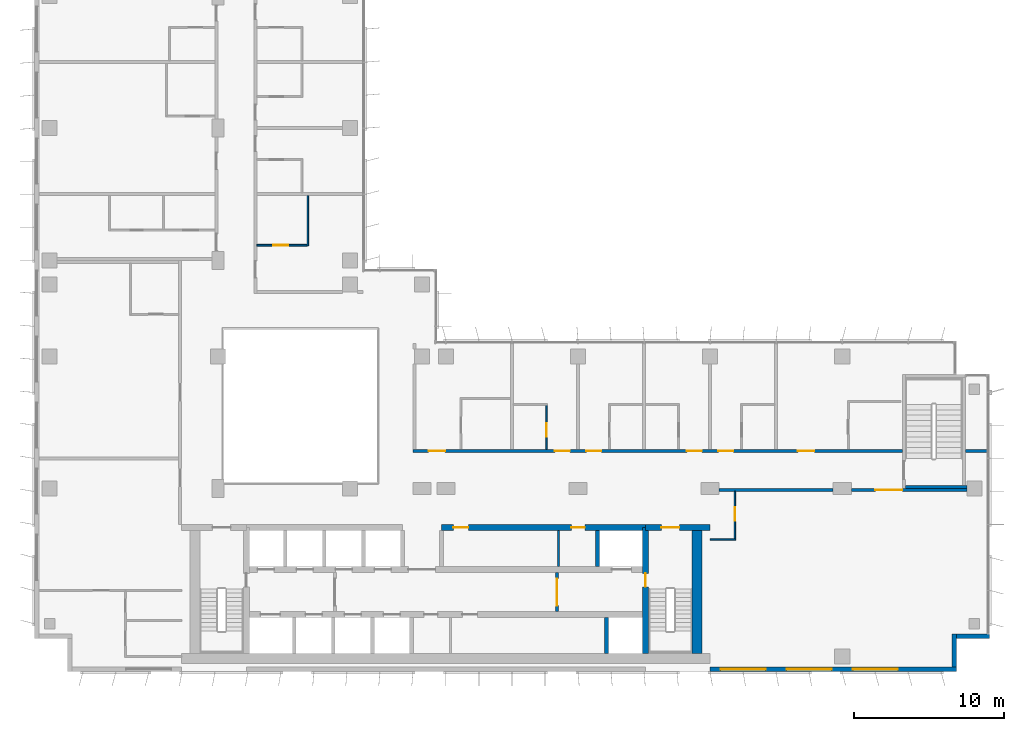
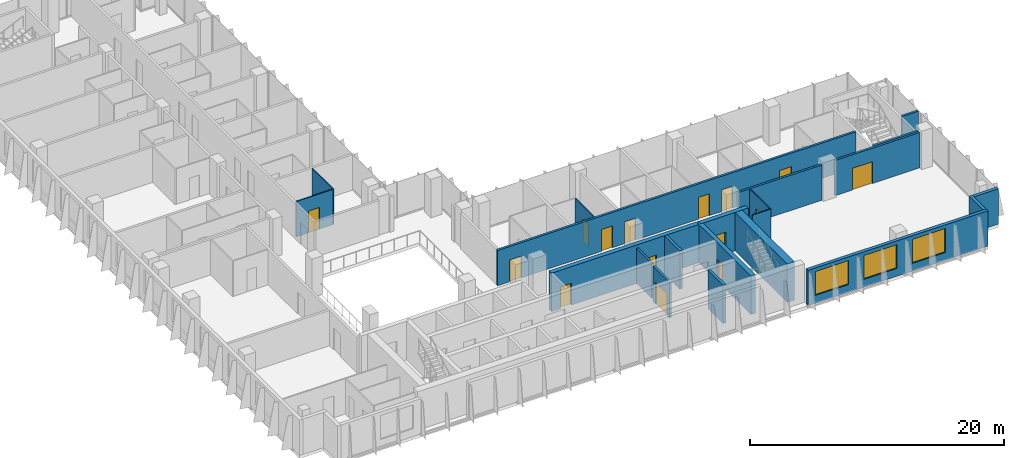
# One storey, part 14 of 21: 21 walls, 15 doors, 3 windows, 18 openings.
"""IFC4 building model written with IfcOpenShell, lengths in metres."""

from ifc_helpers import new_model, si_unit, direction, frame, frame_2d, origin, place, context, subcontext, project, spatial, rectangle, extrude, material, layer, layer_set, type_object, element, fill, save


model = new_model("IFC4")

# Units and contexts
model_context = context("Model", 3, precision=1e-05, world=origin(), true_north=direction((0.0, 1.0)))
body_context = subcontext(model_context, "Body", "Model", "MODEL_VIEW")
ifc_project = project(units=[si_unit("LENGTHUNIT", "METRE"), si_unit("AREAUNIT", "SQUARE_METRE"), si_unit("VOLUMEUNIT", "CUBIC_METRE"), si_unit("PLANEANGLEUNIT", "RADIAN"), si_unit("MASSUNIT", "GRAM", prefix="KILO")], contexts=[model_context])

# Site, building, storey
site_placement = place(None, origin())
site = spatial("IfcSite", under=ifc_project, at=site_placement, CompositionType="ELEMENT")
building_placement = place(site_placement, origin())
building = spatial("IfcBuilding", under=site, at=building_placement, Name="Kemantara Hotel Tower", CompositionType="ELEMENT")
storey_placement = place(building_placement, frame((0.0, 0.0, 182.699951171875)))
storey = spatial("IfcBuildingStorey", under=building, at=storey_placement, Name="L45", CompositionType="ELEMENT", Elevation=182.699951171875)

# Wall, openings, windows
ifc_material_1 = material(Name="Bronze anodised aluminium cladding on insulated steel stud wall", Category="steel")
ifc_layer_1 = layer(ifc_material_1, 0.300048828125)
ifc_layer_set_1 = layer_set([ifc_layer_1], Name="Bronze anodised aluminium cladding on insulated steel stud wall")
wall_type_1 = type_object("IfcWallType", Name="BRONZE METAL-CLAD EXTERNAL WALL 300", PredefinedType="STANDARD", material=ifc_layer_set_1)
wall_1_placement = place(storey_placement, frame((45.0, 0.14990234375, 0.0), z_axis=(0.0, 0.0, 1.0), x_axis=(1.0, 0.0, 0.0)))
wall_1 = element("IfcWall", 1, at=wall_1_placement, inside=storey, type_object=wall_type_1, Name="EXTERNAL WALL L45 T3-R08-3", PredefinedType="STANDARD", context=body_context, shape_type="SweptSolid", body=[
    extrude(rectangle(XDim=16.39990234375, YDim=0.300048828125, at=frame_2d((8.199951171875, 0.0))), origin(), (0.0, 0.0, 1.0), 3.400146484375),
])
opening_1_placement = place(wall_1_placement, frame((0.699951171875, 0.0, 0.75)))
opening_1 = element("IfcOpeningElement", 2, at=opening_1_placement, cuts=wall_1, Name="Opening W1", PredefinedType="OPENING", context=body_context, shape_type="SweptSolid", body=[
    extrude(rectangle(XDim=3.0, YDim=2.300048828125, at=frame_2d((1.5, 1.14990234375))), frame((0.0, 0.159912109375, 0.0), z_axis=(0.0, -1.0, 0.0), x_axis=(1.0, 0.0, 0.0)), (0.0, 0.0, 1.0), 0.320068359375),
])
opening_2_placement = place(wall_1_placement, frame((5.10009765625, 0.0, 0.75)))
opening_2 = element("IfcOpeningElement", 3, at=opening_2_placement, cuts=wall_1, Name="Opening W1", PredefinedType="OPENING", context=body_context, shape_type="SweptSolid", body=[
    extrude(rectangle(XDim=3.0, YDim=2.300048828125, at=frame_2d((1.5, 1.14990234375))), frame((0.0, 0.159912109375, 0.0), z_axis=(0.0, -1.0, 0.0), x_axis=(1.0, 0.0, 0.0)), (0.0, 0.0, 1.0), 0.320068359375),
])
opening_3_placement = place(wall_1_placement, frame((9.5, 0.0, 0.75)))
opening_3 = element("IfcOpeningElement", 4, at=opening_3_placement, cuts=wall_1, Name="Opening W1", PredefinedType="OPENING", context=body_context, shape_type="SweptSolid", body=[
    extrude(rectangle(XDim=3.0, YDim=2.300048828125, at=frame_2d((1.5, 1.14990234375))), frame((0.0, 0.159912109375, 0.0), z_axis=(0.0, -1.0, 0.0), x_axis=(1.0, 0.0, 0.0)), (0.0, 0.0, 1.0), 0.320068359375),
])
ifc_material_2 = material(Name="Low-E tinted double insulated glass in bronze anodised aluminium frame", Category="aluminium")
window_type = type_object("IfcWindowType", Name="CHICAGO WINDOW, TRIPLE PANEL 3000x2300", PartitioningType="TRIPLE_PANEL_VERTICAL", PredefinedType="WINDOW", material=ifc_material_2)
window_1_placement = place(opening_1_placement, origin())
window_1 = element("IfcWindow", 5, at=window_1_placement, inside=storey, type_object=window_type, Name="CHICAGO WINDOW L45 T3-R08-450", OverallHeight=2.300048828125, OverallWidth=3.0, PartitioningType="SINGLE_PANEL", PredefinedType="WINDOW", context=body_context, shape_type="SweptSolid", body=[
    extrude(rectangle(XDim=3.0, YDim=2.300048828125, at=frame_2d((1.5, 1.14990234375))), frame((0.0, 0.030029296875, 0.0), z_axis=(0.0, -1.0, 0.0), x_axis=(1.0, 0.0, 0.0)), (0.0, 0.0, 1.0), 0.06005859375),
])
fill(opening_1, window_1)
window_2_placement = place(opening_2_placement, origin())
window_2 = element("IfcWindow", 6, at=window_2_placement, inside=storey, type_object=window_type, Name="CHICAGO WINDOW L45 T3-R08-494", OverallHeight=2.300048828125, OverallWidth=3.0, PartitioningType="SINGLE_PANEL", PredefinedType="WINDOW", context=body_context, shape_type="SweptSolid", body=[
    extrude(rectangle(XDim=3.0, YDim=2.300048828125, at=frame_2d((1.5, 1.14990234375))), frame((0.0, 0.030029296875, 0.0), z_axis=(0.0, -1.0, 0.0), x_axis=(1.0, 0.0, 0.0)), (0.0, 0.0, 1.0), 0.06005859375),
])
fill(opening_2, window_2)
window_3_placement = place(opening_3_placement, origin())
window_3 = element("IfcWindow", 7, at=window_3_placement, inside=storey, type_object=window_type, Name="CHICAGO WINDOW L45 T3-R08-538", OverallHeight=2.300048828125, OverallWidth=3.0, PartitioningType="SINGLE_PANEL", PredefinedType="WINDOW", context=body_context, shape_type="SweptSolid", body=[
    extrude(rectangle(XDim=3.0, YDim=2.300048828125, at=frame_2d((1.5, 1.14990234375))), frame((0.0, 0.030029296875, 0.0), z_axis=(0.0, -1.0, 0.0), x_axis=(1.0, 0.0, 0.0)), (0.0, 0.0, 1.0), 0.06005859375),
])
fill(opening_3, window_3)

# Walls
wall_2_placement = place(storey_placement, frame((61.25, 0.300048828125, 0.0), z_axis=(0.0, 0.0, 1.0), x_axis=(0.0, 1.0, 0.0)))
element("IfcWall", 8, at=wall_2_placement, inside=storey, type_object=wall_type_1, Name="EXTERNAL WALL L45 T3-R09", PredefinedType="STANDARD", context=body_context, shape_type="SweptSolid", body=[
    extrude(rectangle(XDim=2.199951171875, YDim=0.300048828125, at=frame_2d((1.10009765625, 0.0))), origin(), (0.0, 0.0, 1.0), 3.400146484375),
])
wall_3_placement = place(storey_placement, frame((61.39990234375, 2.35009765625, 0.0), z_axis=(0.0, 0.0, 1.0), x_axis=(1.0, 0.0, 0.0)))
element("IfcWall", 9, at=wall_3_placement, inside=storey, type_object=wall_type_1, Name="EXTERNAL WALL L45 T3-R10", PredefinedType="STANDARD", context=body_context, shape_type="SweptSolid", body=[
    extrude(rectangle(XDim=2.2001953125, YDim=0.300048828125, at=frame_2d((1.10009765625, 0.0))), origin(), (0.0, 0.0, 1.0), 3.400146484375),
])
ifc_material_3 = material(Name="Concrete fc 60 MPa", Category="concrete")
ifc_layer_2 = layer(ifc_material_3, 0.25)
ifc_layer_set_2 = layer_set([ifc_layer_2], Name="Concrete fc 60 MPa")
wall_type_2 = type_object("IfcWallType", Name="CORE WALL 250 FC60", PredefinedType="SHEAR", material=ifc_layer_set_2)
wall_4_placement = place(storey_placement, frame((38.10009765625, 1.199951171875, 0.0), z_axis=(0.0, 0.0, 1.0), x_axis=(0.0, 1.0, 0.0)))
element("IfcWall", 10, at=wall_4_placement, inside=storey, type_object=wall_type_2, Name="CORE WALL CW-DS38.1", PredefinedType="SHEAR", context=body_context, shape_type="SweptSolid", body=[
    extrude(rectangle(XDim=2.400146484375, YDim=0.25, at=frame_2d((1.2001953125, 0.0))), origin(), (0.0, 0.0, 1.0), 3.699951171875),
])
wall_5_placement = place(storey_placement, frame((37.5, 7.0, 0.0), z_axis=(0.0, 0.0, 1.0), x_axis=(0.0, 1.0, 0.0)))
element("IfcWall", 11, at=wall_5_placement, inside=storey, type_object=wall_type_2, Name="CORE WALL CW-DN37.5", PredefinedType="SHEAR", context=body_context, shape_type="SweptSolid", body=[
    extrude(rectangle(XDim=2.39990234375, YDim=0.25, at=frame_2d((1.199951171875, 0.0))), origin(), (0.0, 0.0, 1.0), 3.699951171875),
])

# Wall, opening, door
ifc_layer_3 = layer(ifc_material_3, 0.39990234375)
ifc_layer_set_3 = layer_set([ifc_layer_3], Name="Concrete fc 60 MPa")
wall_type_3 = type_object("IfcWallType", Name="CORE WALL 400 FC60", PredefinedType="SHEAR", material=ifc_layer_set_3)
wall_6_placement = place(storey_placement, frame((40.699951171875, 9.60009765625, 0.0), z_axis=(0.0, 0.0, 1.0), x_axis=(1.0, 0.0, 0.0)))
wall_6 = element("IfcWall", 12, at=wall_6_placement, inside=storey, type_object=wall_type_3, Name="CORE WALL CW-N2", PredefinedType="SHEAR", context=body_context, shape_type="SweptSolid", body=[
    extrude(rectangle(XDim=4.300048828125, YDim=0.39990234375, at=frame_2d((2.14990234375, 0.0))), origin(), (0.0, 0.0, 1.0), 3.699951171875),
])
opening_4_placement = place(wall_6_placement, frame((1.050048828125, 0.0, 0.0)))
opening_4 = element("IfcOpeningElement", 13, at=opening_4_placement, cuts=wall_6, Name="Opening C27-ST2-C", PredefinedType="OPENING", context=body_context, shape_type="SweptSolid", body=[
    extrude(rectangle(XDim=1.199951171875, YDim=2.10009765625, at=frame_2d((0.60009765625, 1.050048828125))), frame((0.0, 0.2099609375, 0.0), z_axis=(0.0, -1.0, 0.0), x_axis=(1.0, 0.0, 0.0)), (0.0, 0.0, 1.0), 0.419921875),
])
ifc_material_4 = material(Name="Steel fire door", Category="steel")
door_type_1 = type_object("IfcDoorType", Name="Fire door FD90 1200 x 2100", OperationType="NOTDEFINED", PredefinedType="DOOR", material=ifc_material_4)
door_1_placement = place(opening_4_placement, frame((1.199951171875, 0.0, 0.0), z_axis=(0.0, 0.0, 1.0), x_axis=(-1.0, 0.0, 0.0)))
door_1 = element("IfcDoor", 14, at=door_1_placement, inside=storey, type_object=door_type_1, Name="Stair ST2 door to corridor", OperationType="SINGLE_SWING_RIGHT", OverallHeight=2.10009765625, OverallWidth=1.199951171875, PredefinedType="DOOR", context=body_context, shape_type="SweptSolid", body=[
    extrude(rectangle(XDim=1.199951171875, YDim=2.10009765625, at=frame_2d((0.60009765625, 1.050048828125))), frame((0.0, 0.02490234375, 0.0), z_axis=(0.0, -1.0, 0.0), x_axis=(1.0, 0.0, 0.0)), (0.0, 0.0, 1.0), 0.050048828125),
])
fill(opening_4, door_1)

# Wall, openings, doors
wall_7_placement = place(storey_placement, frame((27.10009765625, 9.60009765625, 0.0), z_axis=(0.0, 0.0, 1.0), x_axis=(1.0, 0.0, 0.0)))
wall_7 = element("IfcWall", 15, at=wall_7_placement, inside=storey, type_object=wall_type_3, Name="CORE WALL CW-NN2", PredefinedType="SHEAR", context=body_context, shape_type="SweptSolid", body=[
    extrude(rectangle(XDim=13.599853515625, YDim=0.39990234375, at=frame_2d((6.7998046875, 0.0))), origin(), (0.0, 0.0, 1.0), 3.699951171875),
])
opening_5_placement = place(wall_7_placement, frame((0.800048828125, 0.0, 0.0)))
opening_5 = element("IfcOpeningElement", 16, at=opening_5_placement, cuts=wall_7, Name="Opening C27-R-NE1", PredefinedType="OPENING", context=body_context, shape_type="SweptSolid", body=[
    extrude(rectangle(XDim=1.0, YDim=2.10009765625, at=frame_2d((0.5, 1.050048828125))), frame((0.0, 0.2099609375, 0.0), z_axis=(0.0, -1.0, 0.0), x_axis=(1.0, 0.0, 0.0)), (0.0, 0.0, 1.0), 0.419921875),
])
opening_6_placement = place(wall_7_placement, frame((8.64990234375, 0.0, 0.0)))
opening_6 = element("IfcOpeningElement", 17, at=opening_6_placement, cuts=wall_7, Name="Opening C27-R-NE2", PredefinedType="OPENING", context=body_context, shape_type="SweptSolid", body=[
    extrude(rectangle(XDim=0.89990234375, YDim=2.10009765625, at=frame_2d((0.449951171875, 1.050048828125))), frame((0.0, 0.2099609375, 0.0), z_axis=(0.0, -1.0, 0.0), x_axis=(1.0, 0.0, 0.0)), (0.0, 0.0, 1.0), 0.419921875),
])
door_type_2 = type_object("IfcDoorType", Name="Fire door FD30S 1000 x 2100", OperationType="NOTDEFINED", PredefinedType="DOOR", material=ifc_material_4)
door_2_placement = place(opening_5_placement, frame((1.0, 0.0, 0.0), z_axis=(0.0, 0.0, 1.0), x_axis=(-1.0, 0.0, 0.0)))
door_2 = element("IfcDoor", 18, at=door_2_placement, inside=storey, type_object=door_type_2, Name="Housekeeping Store door", OperationType="SINGLE_SWING_RIGHT", OverallHeight=2.10009765625, OverallWidth=1.0, PredefinedType="DOOR", context=body_context, shape_type="SweptSolid", body=[
    extrude(rectangle(XDim=1.0, YDim=2.10009765625, at=frame_2d((0.5, 1.050048828125))), frame((0.0, 0.02490234375, 0.0), z_axis=(0.0, -1.0, 0.0), x_axis=(1.0, 0.0, 0.0)), (0.0, 0.0, 1.0), 0.050048828125),
])
fill(opening_5, door_2)
door_type_3 = type_object("IfcDoorType", Name="Fire door FD60 900 x 2100", OperationType="NOTDEFINED", PredefinedType="DOOR", material=ifc_material_4)
door_3_placement = place(opening_6_placement, frame((0.89990234375, 0.0, 0.0), z_axis=(0.0, 0.0, 1.0), x_axis=(-1.0, 0.0, 0.0)))
door_3 = element("IfcDoor", 19, at=door_3_placement, inside=storey, type_object=door_type_3, Name="It Equipment Room door", OperationType="SINGLE_SWING_LEFT", OverallHeight=2.10009765625, OverallWidth=0.89990234375, PredefinedType="DOOR", context=body_context, shape_type="SweptSolid", body=[
    extrude(rectangle(XDim=0.89990234375, YDim=2.10009765625, at=frame_2d((0.449951171875, 1.050048828125))), frame((0.0, 0.02490234375, 0.0), z_axis=(0.0, -1.0, 0.0), x_axis=(1.0, 0.0, 0.0)), (0.0, 0.0, 1.0), 0.050048828125),
])
fill(opening_6, door_3)

# Wall, opening, door
wall_8_placement = place(storey_placement, frame((40.699951171875, 1.199951171875, 0.0), z_axis=(0.0, 0.0, 1.0), x_axis=(0.0, 1.0, 0.0)))
wall_8 = element("IfcWall", 20, at=wall_8_placement, inside=storey, type_object=wall_type_3, Name="CORE WALL CW-ST2W", PredefinedType="SHEAR", context=body_context, shape_type="SweptSolid", body=[
    extrude(rectangle(XDim=8.400146484375, YDim=0.39990234375, at=frame_2d((4.2001953125, 0.0))), origin(), (0.0, 0.0, 1.0), 3.699951171875),
])
opening_7_placement = place(wall_8_placement, frame((4.449951171875, 0.0, 0.0)))
opening_7 = element("IfcOpeningElement", 21, at=opening_7_placement, cuts=wall_8, Name="Opening C27-ST2-F", PredefinedType="OPENING", context=body_context, shape_type="SweptSolid", body=[
    extrude(rectangle(XDim=0.89990234375, YDim=2.10009765625, at=frame_2d((0.449951171875, 1.050048828125))), frame((0.0, 0.2099609375, 0.0), z_axis=(0.0, -1.0, 0.0), x_axis=(1.0, 0.0, 0.0)), (0.0, 0.0, 1.0), 0.419921875),
])
door_type_4 = type_object("IfcDoorType", Name="Fire door FD90 900 x 2100", OperationType="NOTDEFINED", PredefinedType="DOOR", material=ifc_material_4)
door_4_placement = place(opening_7_placement, frame((0.89990234375, 0.0, 0.0), z_axis=(0.0, 0.0, 1.0), x_axis=(-1.0, 0.0, 0.0)))
door_4 = element("IfcDoor", 22, at=door_4_placement, inside=storey, type_object=door_type_4, Name="Stair ST2 door to firefighting lobby", OperationType="SINGLE_SWING_LEFT", OverallHeight=2.10009765625, OverallWidth=0.89990234375, PredefinedType="DOOR", context=body_context, shape_type="SweptSolid", body=[
    extrude(rectangle(XDim=0.89990234375, YDim=2.10009765625, at=frame_2d((0.449951171875, 1.050048828125))), frame((0.0, 0.02490234375, 0.0), z_axis=(0.0, -1.0, 0.0), x_axis=(1.0, 0.0, 0.0)), (0.0, 0.0, 1.0), 0.050048828125),
])
fill(opening_7, door_4)

# Walls
ifc_layer_4 = layer(ifc_material_3, 0.64990234375)
ifc_layer_set_4 = layer_set([ifc_layer_4], Name="Concrete fc 60 MPa")
wall_type_4 = type_object("IfcWallType", Name="CORE WALL 650 FC60", PredefinedType="SHEAR", material=ifc_layer_set_4)
wall_9_placement = place(storey_placement, frame((44.125, 1.199951171875, 0.0), z_axis=(0.0, 0.0, 1.0), x_axis=(0.0, 1.0, 0.0)))
element("IfcWall", 23, at=wall_9_placement, inside=storey, type_object=wall_type_4, Name="CORE WALL CW-E", PredefinedType="SHEAR", context=body_context, shape_type="SweptSolid", body=[
    extrude(rectangle(XDim=8.60009765625, YDim=0.64990234375, at=frame_2d((4.300048828125, 0.0))), origin(), (0.0, 0.0, 1.0), 3.699951171875),
])
ifc_material_5 = material(Name="Gypsum board partition, steel studs and mineral wool, 200 mm", Category="steel")
ifc_layer_5 = layer(ifc_material_5, 0.199951171875)
ifc_layer_set_5 = layer_set([ifc_layer_5], Name="Gypsum board partition, steel studs and mineral wool, 200 mm")
wall_type_5 = type_object("IfcWallType", Name="CORRIDOR WALL 200", PredefinedType="PARTITIONING", material=ifc_layer_set_5)
wall_10_placement = place(storey_placement, frame((45.60009765625, 12.10009765625, 0.0), z_axis=(0.0, 0.0, 1.0), x_axis=(1.0, 0.0, 0.0)))
element("IfcWall", 24, at=wall_10_placement, inside=storey, type_object=wall_type_5, Name="CORRIDOR WALL 200 001", PredefinedType="PARTITIONING", context=body_context, shape_type="SweptSolid", body=[
    extrude(rectangle(XDim=7.599853515625, YDim=0.199951171875, at=frame_2d((3.7998046875, 0.0))), origin(), (0.0, 0.0, 1.0), 3.400146484375),
])

# Wall, opening, door
wall_11_placement = place(storey_placement, frame((62.099853515625, 12.10009765625, 0.0), z_axis=(0.0, 0.0, 1.0), x_axis=(-1.0, 0.0, 0.0)))
wall_11 = element("IfcWall", 25, at=wall_11_placement, inside=storey, type_object=wall_type_5, Name="CORRIDOR WALL 200 002", PredefinedType="PARTITIONING", context=body_context, shape_type="SweptSolid", body=[
    extrude(rectangle(XDim=7.69970703125, YDim=0.199951171875, at=frame_2d((3.849853515625, 0.0))), origin(), (0.0, 0.0, 1.0), 3.400146484375),
])
opening_8_placement = place(wall_11_placement, frame((4.2998046875, 0.0, 0.0)))
opening_8 = element("IfcOpeningElement", 26, at=opening_8_placement, cuts=wall_11, Name="Opening F21-001", PredefinedType="OPENING", context=body_context, shape_type="SweptSolid", body=[
    extrude(rectangle(XDim=1.800048828125, YDim=2.10009765625, at=frame_2d((0.89990234375, 1.050048828125))), frame((0.0, 0.10986328125, 0.0), z_axis=(0.0, -1.0, 0.0), x_axis=(1.0, 0.0, 0.0)), (0.0, 0.0, 1.0), 0.219970703125),
])
ifc_material_6 = material(Name="Hardwood veneer door leaf with steel frame", Category="steel")
door_type_5 = type_object("IfcDoorType", Name="AMENITY ROOM DOOR 1800 X 2100 FD30S", OperationType="NOTDEFINED", PredefinedType="DOOR", material=ifc_material_6)
door_5_placement = place(opening_8_placement, origin())
door_5 = element("IfcDoor", 27, at=door_5_placement, inside=storey, type_object=door_type_5, Name="AMENITY ROOM DOOR F21-001", OperationType="DOUBLE_DOOR_SINGLE_SWING", OverallHeight=2.10009765625, OverallWidth=1.800048828125, PredefinedType="DOOR", context=body_context, shape_type="SweptSolid", body=[
    extrude(rectangle(XDim=1.800048828125, YDim=2.10009765625, at=frame_2d((0.89990234375, 1.050048828125))), frame((0.0, 0.02490234375, 0.0), z_axis=(0.0, -1.0, 0.0), x_axis=(1.0, 0.0, 0.0)), (0.0, 0.0, 1.0), 0.050048828125),
])
fill(opening_8, door_5)

# Wall, openings, doors
wall_12_placement = place(storey_placement, frame((25.199951171875, 14.699951171875, 0.0), z_axis=(0.0, 0.0, 1.0), x_axis=(1.0, 0.0, 0.0)))
wall_12 = element("IfcWall", 28, at=wall_12_placement, inside=storey, type_object=wall_type_5, Name="CORRIDOR WALL 200 003", PredefinedType="PARTITIONING", context=body_context, shape_type="SweptSolid", body=[
    extrude(rectangle(XDim=32.60009765625, YDim=0.199951171875, at=frame_2d((16.300048828125, 0.0))), origin(), (0.0, 0.0, 1.0), 3.400146484375),
])
opening_9_placement = place(wall_12_placement, frame((1.050048828125, 0.0, 0.0)))
opening_9 = element("IfcOpeningElement", 29, at=opening_9_placement, cuts=wall_12, Name="Opening F21-003", PredefinedType="OPENING", context=body_context, shape_type="SweptSolid", body=[
    extrude(rectangle(XDim=1.10009765625, YDim=2.10009765625, at=frame_2d((0.550048828125, 1.050048828125))), frame((0.0, 0.10986328125, 0.0), z_axis=(0.0, -1.0, 0.0), x_axis=(1.0, 0.0, 0.0)), (0.0, 0.0, 1.0), 0.219970703125),
])
opening_10_placement = place(wall_12_placement, frame((9.449951171875, 0.0, 0.0)))
opening_10 = element("IfcOpeningElement", 30, at=opening_10_placement, cuts=wall_12, Name="Opening F21-005", PredefinedType="OPENING", context=body_context, shape_type="SweptSolid", body=[
    extrude(rectangle(XDim=1.0, YDim=2.10009765625, at=frame_2d((0.5, 1.050048828125))), frame((0.0, 0.10986328125, 0.0), z_axis=(0.0, -1.0, 0.0), x_axis=(1.0, 0.0, 0.0)), (0.0, 0.0, 1.0), 0.219970703125),
])
opening_11_placement = place(wall_12_placement, frame((11.550048828125, 0.0, 0.0)))
opening_11 = element("IfcOpeningElement", 31, at=opening_11_placement, cuts=wall_12, Name="Opening F21-007", PredefinedType="OPENING", context=body_context, shape_type="SweptSolid", body=[
    extrude(rectangle(XDim=1.0, YDim=2.10009765625, at=frame_2d((0.5, 1.050048828125))), frame((0.0, 0.10986328125, 0.0), z_axis=(0.0, -1.0, 0.0), x_axis=(1.0, 0.0, 0.0)), (0.0, 0.0, 1.0), 0.219970703125),
])
opening_12_placement = place(wall_12_placement, frame((18.25, 0.0, 0.0)))
opening_12 = element("IfcOpeningElement", 32, at=opening_12_placement, cuts=wall_12, Name="Opening F21-009", PredefinedType="OPENING", context=body_context, shape_type="SweptSolid", body=[
    extrude(rectangle(XDim=1.0, YDim=2.10009765625, at=frame_2d((0.5, 1.050048828125))), frame((0.0, 0.10986328125, 0.0), z_axis=(0.0, -1.0, 0.0), x_axis=(1.0, 0.0, 0.0)), (0.0, 0.0, 1.0), 0.219970703125),
])
opening_13_placement = place(wall_12_placement, frame((20.35009765625, 0.0, 0.0)))
opening_13 = element("IfcOpeningElement", 33, at=opening_13_placement, cuts=wall_12, Name="Opening F21-011", PredefinedType="OPENING", context=body_context, shape_type="SweptSolid", body=[
    extrude(rectangle(XDim=1.0, YDim=2.10009765625, at=frame_2d((0.5, 1.050048828125))), frame((0.0, 0.10986328125, 0.0), z_axis=(0.0, -1.0, 0.0), x_axis=(1.0, 0.0, 0.0)), (0.0, 0.0, 1.0), 0.219970703125),
])
opening_14_placement = place(wall_12_placement, frame((25.64990234375, 0.0, 0.0)))
opening_14 = element("IfcOpeningElement", 34, at=opening_14_placement, cuts=wall_12, Name="Opening F21-013", PredefinedType="OPENING", context=body_context, shape_type="SweptSolid", body=[
    extrude(rectangle(XDim=1.10009765625, YDim=2.10009765625, at=frame_2d((0.550048828125, 1.050048828125))), frame((0.0, 0.10986328125, 0.0), z_axis=(0.0, -1.0, 0.0), x_axis=(1.0, 0.0, 0.0)), (0.0, 0.0, 1.0), 0.219970703125),
])
door_type_6 = type_object("IfcDoorType", Name="GUEST ROOM DOOR 1000 X 2100 FD30S", OperationType="NOTDEFINED", PredefinedType="DOOR", material=ifc_material_6)
door_6_placement = place(opening_10_placement, origin())
door_6 = element("IfcDoor", 35, at=door_6_placement, inside=storey, type_object=door_type_6, Name="GUEST ROOM DOOR F21-005", OperationType="SINGLE_SWING_RIGHT", OverallHeight=2.10009765625, OverallWidth=1.0, PredefinedType="DOOR", context=body_context, shape_type="SweptSolid", body=[
    extrude(rectangle(XDim=1.0, YDim=2.10009765625, at=frame_2d((0.5, 1.050048828125))), frame((0.0, 0.02490234375, 0.0), z_axis=(0.0, -1.0, 0.0), x_axis=(1.0, 0.0, 0.0)), (0.0, 0.0, 1.0), 0.050048828125),
])
fill(opening_10, door_6)
door_7_placement = place(opening_11_placement, origin())
door_7 = element("IfcDoor", 36, at=door_7_placement, inside=storey, type_object=door_type_6, Name="GUEST ROOM DOOR F21-007", OperationType="SINGLE_SWING_LEFT", OverallHeight=2.10009765625, OverallWidth=1.0, PredefinedType="DOOR", context=body_context, shape_type="SweptSolid", body=[
    extrude(rectangle(XDim=1.0, YDim=2.10009765625, at=frame_2d((0.5, 1.050048828125))), frame((0.0, 0.02490234375, 0.0), z_axis=(0.0, -1.0, 0.0), x_axis=(1.0, 0.0, 0.0)), (0.0, 0.0, 1.0), 0.050048828125),
])
fill(opening_11, door_7)
door_8_placement = place(opening_12_placement, origin())
door_8 = element("IfcDoor", 37, at=door_8_placement, inside=storey, type_object=door_type_6, Name="GUEST ROOM DOOR F21-009", OperationType="SINGLE_SWING_RIGHT", OverallHeight=2.10009765625, OverallWidth=1.0, PredefinedType="DOOR", context=body_context, shape_type="SweptSolid", body=[
    extrude(rectangle(XDim=1.0, YDim=2.10009765625, at=frame_2d((0.5, 1.050048828125))), frame((0.0, 0.02490234375, 0.0), z_axis=(0.0, -1.0, 0.0), x_axis=(1.0, 0.0, 0.0)), (0.0, 0.0, 1.0), 0.050048828125),
])
fill(opening_12, door_8)
door_9_placement = place(opening_13_placement, origin())
door_9 = element("IfcDoor", 38, at=door_9_placement, inside=storey, type_object=door_type_6, Name="GUEST ROOM DOOR F21-011", OperationType="SINGLE_SWING_LEFT", OverallHeight=2.10009765625, OverallWidth=1.0, PredefinedType="DOOR", context=body_context, shape_type="SweptSolid", body=[
    extrude(rectangle(XDim=1.0, YDim=2.10009765625, at=frame_2d((0.5, 1.050048828125))), frame((0.0, 0.02490234375, 0.0), z_axis=(0.0, -1.0, 0.0), x_axis=(1.0, 0.0, 0.0)), (0.0, 0.0, 1.0), 0.050048828125),
])
fill(opening_13, door_9)
door_type_7 = type_object("IfcDoorType", Name="GUEST ROOM DOOR 1100 X 2100 FD30S", OperationType="NOTDEFINED", PredefinedType="DOOR", material=ifc_material_6)
door_10_placement = place(opening_9_placement, origin())
door_10 = element("IfcDoor", 39, at=door_10_placement, inside=storey, type_object=door_type_7, Name="GUEST ROOM DOOR F21-003", OperationType="SINGLE_SWING_LEFT", OverallHeight=2.10009765625, OverallWidth=1.10009765625, PredefinedType="DOOR", context=body_context, shape_type="SweptSolid", body=[
    extrude(rectangle(XDim=1.10009765625, YDim=2.10009765625, at=frame_2d((0.550048828125, 1.050048828125))), frame((0.0, 0.02490234375, 0.0), z_axis=(0.0, -1.0, 0.0), x_axis=(1.0, 0.0, 0.0)), (0.0, 0.0, 1.0), 0.050048828125),
])
fill(opening_9, door_10)
door_type_8 = type_object("IfcDoorType", Name="SUITE ENTRANCE DOOR 1100 X 2100 FD30S", OperationType="NOTDEFINED", PredefinedType="DOOR", material=ifc_material_6)
door_11_placement = place(opening_14_placement, origin())
door_11 = element("IfcDoor", 40, at=door_11_placement, inside=storey, type_object=door_type_8, Name="SUITE ENTRANCE DOOR F21-013", OperationType="SINGLE_SWING_LEFT", OverallHeight=2.10009765625, OverallWidth=1.10009765625, PredefinedType="DOOR", context=body_context, shape_type="SweptSolid", body=[
    extrude(rectangle(XDim=1.10009765625, YDim=2.10009765625, at=frame_2d((0.550048828125, 1.050048828125))), frame((0.0, 0.02490234375, 0.0), z_axis=(0.0, -1.0, 0.0), x_axis=(1.0, 0.0, 0.0)), (0.0, 0.0, 1.0), 0.050048828125),
])
fill(opening_14, door_11)

# Walls
wall_13_placement = place(storey_placement, frame((62.0, 14.699951171875, 0.0), z_axis=(0.0, 0.0, 1.0), x_axis=(1.0, 0.0, 0.0)))
element("IfcWall", 41, at=wall_13_placement, inside=storey, type_object=wall_type_5, Name="CORRIDOR WALL 200 004", PredefinedType="PARTITIONING", context=body_context, shape_type="SweptSolid", body=[
    extrude(rectangle(XDim=1.47998046875, YDim=0.199951171875, at=frame_2d((0.739990234375, 0.0))), origin(), (0.0, 0.0, 1.0), 3.400146484375),
])
ifc_material_7 = material(Name="Concrete fc 40 MPa", Category="concrete")
ifc_layer_6 = layer(ifc_material_7, 0.199951171875)
ifc_layer_set_6 = layer_set([ifc_layer_6], Name="Concrete fc 40 MPa")
wall_type_6 = type_object("IfcWallType", Name="Concrete stair wall 200 mm", PredefinedType="SHEAR", material=ifc_layer_set_6)
wall_14_placement = place(storey_placement, frame((58.0, 12.300048828125, 0.0), z_axis=(0.0, 0.0, 1.0), x_axis=(1.0, 0.0, 0.0)))
element("IfcWall", 42, at=wall_14_placement, inside=storey, type_object=wall_type_6, Name="Stair ST3 enclosure wall S", PredefinedType="SHEAR", context=body_context, shape_type="SweptSolid", body=[
    extrude(rectangle(XDim=4.10009765625, YDim=0.199951171875, at=frame_2d((2.050048828125, 0.0))), origin(), (0.0, 0.0, 1.0), 3.400146484375),
])
ifc_material_8 = material(Name="Gypsum board partition")
ifc_layer_7 = layer(ifc_material_8, 0.14990234375)
ifc_layer_set_7 = layer_set([ifc_layer_7], Name="Gypsum board partition")
wall_type_7 = type_object("IfcWallType", Name="Gypsum board partition 150 mm", PredefinedType="PARTITIONING", material=ifc_layer_set_7)
wall_15_placement = place(storey_placement, frame((34.89990234375, 7.0, 0.0), z_axis=(0.0, 0.0, 1.0), x_axis=(0.0, 1.0, 0.0)))
element("IfcWall", 43, at=wall_15_placement, inside=storey, type_object=wall_type_7, Name="Core room partition", PredefinedType="PARTITIONING", context=body_context, shape_type="SweptSolid", body=[
    extrude(rectangle(XDim=2.39990234375, YDim=0.14990234375, at=frame_2d((1.199951171875, 0.0))), origin(), (0.0, 0.0, 1.0), 3.400146484375),
])

# Wall, opening, door
ifc_material_9 = material(Name="Gypsum board shaft wall")
ifc_layer_8 = layer(ifc_material_9, 0.199951171875)
ifc_layer_set_8 = layer_set([ifc_layer_8], Name="Gypsum board shaft wall")
wall_type_8 = type_object("IfcWallType", Name="Gypsum board shaft wall 200 mm", PredefinedType="PARTITIONING", material=ifc_layer_set_8)
wall_16_placement = place(storey_placement, frame((34.800048828125, 4.0, 0.0), z_axis=(0.0, 0.0, 1.0), x_axis=(0.0, 1.0, 0.0)))
wall_16 = element("IfcWall", 44, at=wall_16_placement, inside=storey, type_object=wall_type_8, Name="Firefighting lobby partition east", PredefinedType="PARTITIONING", context=body_context, shape_type="SweptSolid", body=[
    extrude(rectangle(XDim=2.60009765625, YDim=0.199951171875, at=frame_2d((1.300048828125, 0.0))), origin(), (0.0, 0.0, 1.0), 3.400146484375),
])
opening_15_placement = place(wall_16_placement, frame((0.39990234375, 0.0, 0.0)))
opening_15 = element("IfcOpeningElement", 45, at=opening_15_placement, cuts=wall_16, Name="Opening C27-FFE", PredefinedType="OPENING", context=body_context, shape_type="SweptSolid", body=[
    extrude(rectangle(XDim=1.800048828125, YDim=2.10009765625, at=frame_2d((0.89990234375, 1.050048828125))), frame((0.0, 0.10986328125, 0.0), z_axis=(0.0, -1.0, 0.0), x_axis=(1.0, 0.0, 0.0)), (0.0, 0.0, 1.0), 0.219970703125),
])
door_type_9 = type_object("IfcDoorType", Name="Fire door pair FD60 1800 x 2100", OperationType="DOUBLE_DOOR_SINGLE_SWING", PredefinedType="DOOR", material=ifc_material_4)
door_12_placement = place(opening_15_placement, frame((1.800048828125, 0.0, 0.0), z_axis=(0.0, 0.0, 1.0), x_axis=(-1.0, 0.0, 0.0)))
door_12 = element("IfcDoor", 46, at=door_12_placement, inside=storey, type_object=door_type_9, Name="Firefighting lobby door east", OperationType="DOUBLE_DOOR_SINGLE_SWING", OverallHeight=2.10009765625, OverallWidth=1.800048828125, PredefinedType="DOOR", context=body_context, shape_type="SweptSolid", body=[
    extrude(rectangle(XDim=1.800048828125, YDim=2.10009765625, at=frame_2d((0.89990234375, 1.050048828125))), frame((0.0, 0.02490234375, 0.0), z_axis=(0.0, -1.0, 0.0), x_axis=(1.0, 0.0, 0.0)), (0.0, 0.0, 1.0), 0.050048828125),
])
fill(opening_15, door_12)

# Wall
ifc_material_10 = material(Name="Gypsum board partition on steel studs, 100 mm", Category="steel")
ifc_layer_9 = layer(ifc_material_10, 0.10009765625)
ifc_layer_set_9 = layer_set([ifc_layer_9], Name="Gypsum board partition on steel studs, 100 mm")
wall_type_9 = type_object("IfcWallType", Name="ROOM PARTITION 100", PredefinedType="PARTITIONING", material=ifc_layer_set_9)
wall_17_placement = place(storey_placement, frame((45.0, 8.800048828125, 0.0), z_axis=(0.0, 0.0, 1.0), x_axis=(1.0, 0.0, 0.0)))
element("IfcWall", 47, at=wall_17_placement, inside=storey, type_object=wall_type_9, Name="ROOM PARTITION 100 034", PredefinedType="PARTITIONING", context=body_context, shape_type="SweptSolid", body=[
    extrude(rectangle(XDim=1.699951171875, YDim=0.10009765625, at=frame_2d((0.85009765625, 0.0))), origin(), (0.0, 0.0, 1.0), 3.400146484375),
])

# Wall, opening, door
wall_18_placement = place(storey_placement, frame((46.64990234375, 8.85009765625, 0.0), z_axis=(0.0, 0.0, 1.0), x_axis=(0.0, 1.0, 0.0)))
wall_18 = element("IfcWall", 48, at=wall_18_placement, inside=storey, type_object=wall_type_9, Name="ROOM PARTITION 100 035", PredefinedType="PARTITIONING", context=body_context, shape_type="SweptSolid", body=[
    extrude(rectangle(XDim=3.14990234375, YDim=0.10009765625, at=frame_2d((1.574951171875, 0.0))), origin(), (0.0, 0.0, 1.0), 3.400146484375),
])
opening_16_placement = place(wall_18_placement, frame((1.199951171875, 0.0, 0.0)))
opening_16 = element("IfcOpeningElement", 49, at=opening_16_placement, cuts=wall_18, Name="Opening F21-002", PredefinedType="OPENING", context=body_context, shape_type="SweptSolid", body=[
    extrude(rectangle(XDim=0.89990234375, YDim=2.10009765625, at=frame_2d((0.449951171875, 1.050048828125))), frame((0.0, 0.06005859375, 0.0), z_axis=(0.0, -1.0, 0.0), x_axis=(1.0, 0.0, 0.0)), (0.0, 0.0, 1.0), 0.1201171875),
])
door_type_10 = type_object("IfcDoorType", Name="INTERNAL DOOR 900 X 2100", OperationType="NOTDEFINED", PredefinedType="DOOR", material=ifc_material_6)
door_13_placement = place(opening_16_placement, origin())
door_13 = element("IfcDoor", 50, at=door_13_placement, inside=storey, type_object=door_type_10, Name="INTERNAL DOOR F21-002", OperationType="SINGLE_SWING_RIGHT", OverallHeight=2.10009765625, OverallWidth=0.89990234375, PredefinedType="DOOR", context=body_context, shape_type="SweptSolid", body=[
    extrude(rectangle(XDim=0.89990234375, YDim=2.10009765625, at=frame_2d((0.449951171875, 1.050048828125))), frame((0.0, 0.02490234375, 0.0), z_axis=(0.0, -1.0, 0.0), x_axis=(1.0, 0.0, 0.0)), (0.0, 0.0, 1.0), 0.050048828125),
])
fill(opening_16, door_13)

wall_19_placement = place(storey_placement, frame((34.10009765625, 14.800048828125, 0.0), z_axis=(0.0, 0.0, 1.0), x_axis=(0.0, 1.0, 0.0)))
wall_19 = element("IfcWall", 51, at=wall_19_placement, inside=storey, type_object=wall_type_9, Name="ROOM PARTITION 100 042", PredefinedType="PARTITIONING", context=body_context, shape_type="SweptSolid", body=[
    extrude(rectangle(XDim=2.949951171875, YDim=0.10009765625, at=frame_2d((1.47509765625, 0.0))), origin(), (0.0, 0.0, 1.0), 3.400146484375),
])
opening_17_placement = place(wall_19_placement, frame((0.85009765625, 0.0, 0.0)))
opening_17 = element("IfcOpeningElement", 52, at=opening_17_placement, cuts=wall_19, Name="Opening F21-006", PredefinedType="OPENING", context=body_context, shape_type="SweptSolid", body=[
    extrude(rectangle(XDim=0.89990234375, YDim=2.10009765625, at=frame_2d((0.449951171875, 1.050048828125))), frame((0.0, 0.06005859375, 0.0), z_axis=(0.0, -1.0, 0.0), x_axis=(1.0, 0.0, 0.0)), (0.0, 0.0, 1.0), 0.1201171875),
])
door_type_11 = type_object("IfcDoorType", Name="BATHROOM DOOR 900 X 2100", OperationType="NOTDEFINED", PredefinedType="DOOR", material=ifc_material_6)
door_14_placement = place(opening_17_placement, origin())
door_14 = element("IfcDoor", 53, at=door_14_placement, inside=storey, type_object=door_type_11, Name="BATHROOM DOOR F21-006", OperationType="SINGLE_SWING_LEFT", OverallHeight=2.10009765625, OverallWidth=0.89990234375, PredefinedType="DOOR", context=body_context, shape_type="SweptSolid", body=[
    extrude(rectangle(XDim=0.89990234375, YDim=2.10009765625, at=frame_2d((0.449951171875, 1.050048828125))), frame((0.0, 0.02490234375, 0.0), z_axis=(0.0, -1.0, 0.0), x_axis=(1.0, 0.0, 0.0)), (0.0, 0.0, 1.0), 0.050048828125),
])
fill(opening_17, door_14)

# Wall
wall_20_placement = place(storey_placement, frame((18.199951171875, 28.35009765625, 0.0), z_axis=(0.0, 0.0, 1.0), x_axis=(0.0, 1.0, 0.0)))
element("IfcWall", 54, at=wall_20_placement, inside=storey, type_object=wall_type_9, Name="ROOM PARTITION 100 069", PredefinedType="PARTITIONING", context=body_context, shape_type="SweptSolid", body=[
    extrude(rectangle(XDim=3.349853515625, YDim=0.10009765625, at=frame_2d((1.6748046875, 0.0))), origin(), (0.0, 0.0, 1.0), 3.400146484375),
])

# Wall, opening, door
wall_21_placement = place(storey_placement, frame((14.800048828125, 28.39990234375, 0.0), z_axis=(0.0, 0.0, 1.0), x_axis=(1.0, 0.0, 0.0)))
wall_21 = element("IfcWall", 55, at=wall_21_placement, inside=storey, type_object=wall_type_9, Name="ROOM PARTITION 100 070", PredefinedType="PARTITIONING", context=body_context, shape_type="SweptSolid", body=[
    extrude(rectangle(XDim=3.349853515625, YDim=0.10009765625, at=frame_2d((1.6748046875, 0.0))), origin(), (0.0, 0.0, 1.0), 3.400146484375),
])
opening_18_placement = place(wall_21_placement, frame((1.10009765625, 0.0, 0.0)))
opening_18 = element("IfcOpeningElement", 56, at=opening_18_placement, cuts=wall_21, Name="Opening F21-035", PredefinedType="OPENING", context=body_context, shape_type="SweptSolid", body=[
    extrude(rectangle(XDim=1.0, YDim=2.10009765625, at=frame_2d((0.5, 1.050048828125))), frame((0.0, 0.06005859375, 0.0), z_axis=(0.0, -1.0, 0.0), x_axis=(1.0, 0.0, 0.0)), (0.0, 0.0, 1.0), 0.1201171875),
])
door_type_12 = type_object("IfcDoorType", Name="BATHROOM DOOR 1000 X 2100", OperationType="NOTDEFINED", PredefinedType="DOOR", material=ifc_material_6)
door_15_placement = place(opening_18_placement, origin())
door_15 = element("IfcDoor", 57, at=door_15_placement, inside=storey, type_object=door_type_12, Name="BATHROOM DOOR F21-035", OperationType="SINGLE_SWING_LEFT", OverallHeight=2.10009765625, OverallWidth=1.0, PredefinedType="DOOR", context=body_context, shape_type="SweptSolid", body=[
    extrude(rectangle(XDim=1.0, YDim=2.10009765625, at=frame_2d((0.5, 1.050048828125))), frame((0.0, 0.02490234375, 0.0), z_axis=(0.0, -1.0, 0.0), x_axis=(1.0, 0.0, 0.0)), (0.0, 0.0, 1.0), 0.050048828125),
])
fill(opening_18, door_15)

save(model, "model.ifc")
